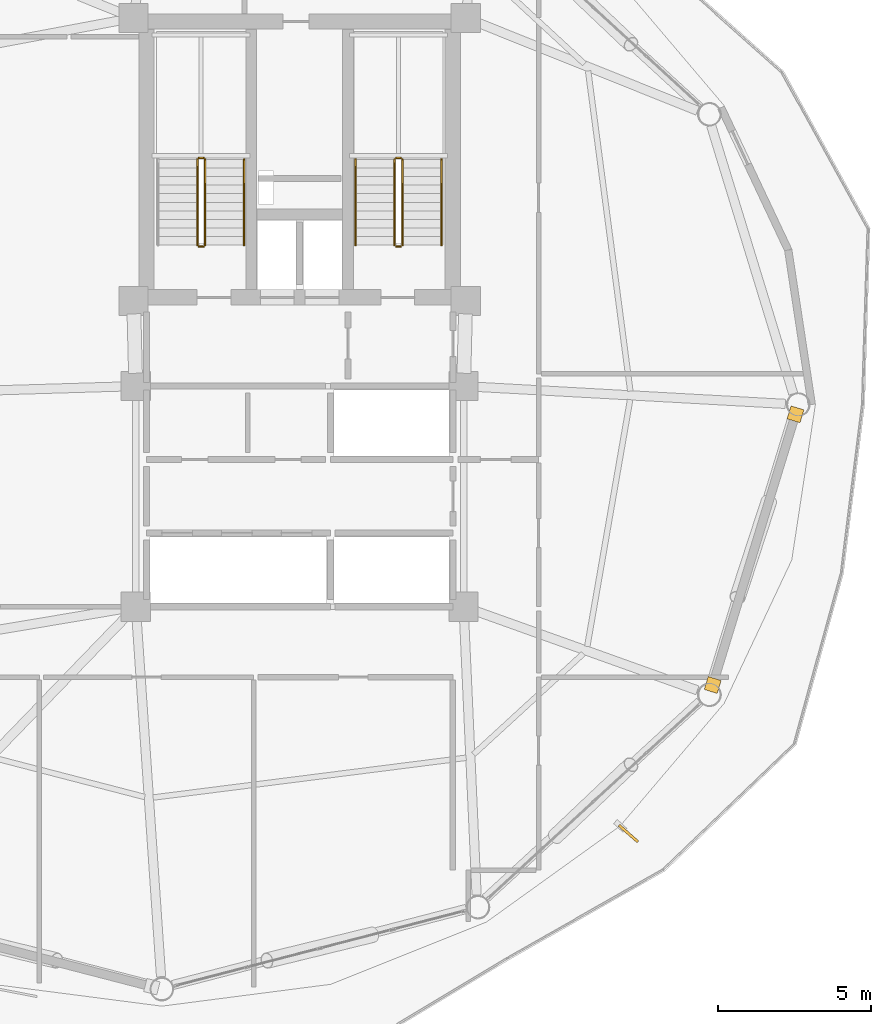
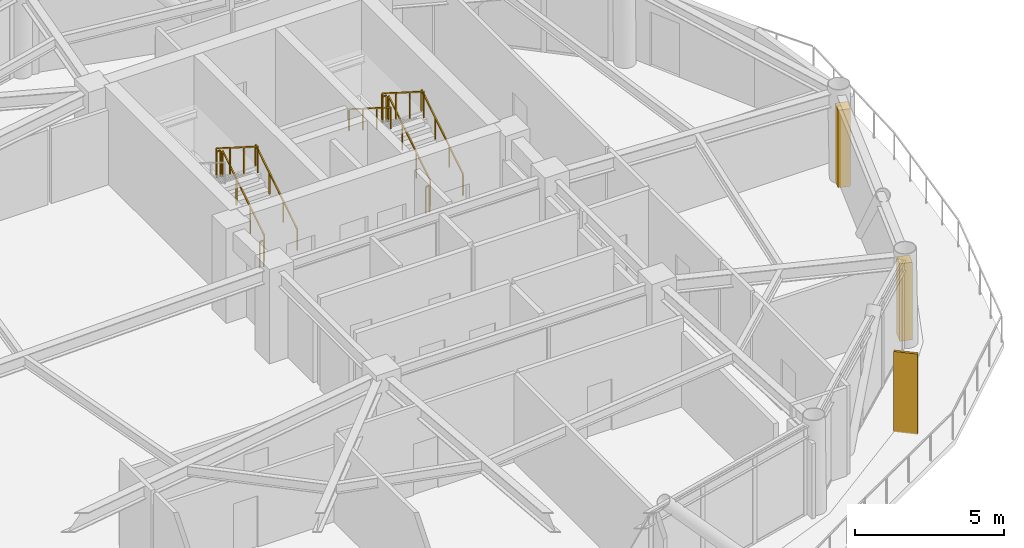
# One storey, part 22 of 23: 11 railings, 2 coverings, 1 shading device.
"""IFC4 building model written with IfcOpenShell, lengths in metres."""

from ifc_helpers import new_model, si_unit, direction, frame, origin, origin_2d, place, context, subcontext, project, spatial, rectangle, extrude, source, transform, mapped, material, layer, layer_set, type_object, type_shapes, element, save


model = new_model("IFC4")

# Units and contexts
model_context = context("Model", 3, precision=1e-05, world=origin(), true_north=direction((0.0, 1.0)))
body_context = subcontext(model_context, "Body", "Model", "MODEL_VIEW")
ifc_project = project(units=[si_unit("LENGTHUNIT", "METRE"), si_unit("AREAUNIT", "SQUARE_METRE"), si_unit("VOLUMEUNIT", "CUBIC_METRE"), si_unit("PLANEANGLEUNIT", "RADIAN"), si_unit("MASSUNIT", "GRAM", prefix="KILO")], contexts=[model_context])

# Site, building, storey
site_placement = place(None, origin())
site = spatial("IfcSite", under=ifc_project, at=site_placement, CompositionType="ELEMENT")
building_placement = place(site_placement, origin())
building = spatial("IfcBuilding", under=site, at=building_placement, Name="Varnakorn Sky Granary", CompositionType="ELEMENT")
storey_placement = place(building_placement, frame((0.0, 0.0, 150.0)))
storey = spatial("IfcBuildingStorey", under=building, at=storey_placement, Name="L37", CompositionType="ELEMENT", Elevation=150.0)

# Railings
ifc_material_1 = material(Name="Brushed Stainless Steel 316", Category="steel")
railing_type_1 = type_object("IfcRailingType", Name="RL-STAIR-1100", PredefinedType="GUARDRAIL", material=ifc_material_1)
railing_1_placement = place(storey_placement, frame((-0.090087890625, 5.199951171875, 0.17724609375)))
element("IfcRailing", 1, at=railing_1_placement, inside=storey, type_object=railing_type_1, Name="L37 ST-1 stair guard 1", PredefinedType="GUARDRAIL", context=body_context, shape_type="SweptSolid", body=[
    extrude(rectangle(XDim=0.048095703125, YDim=0.048095703125, at=origin_2d()), frame((0.0, 0.0, 1.076171875), z_axis=(0.0, 0.844908973607, 0.534910110503), x_axis=(-1.0, 0.0, 0.0)), (0.0, 0.0, 1.0), 3.31396484375),
    extrude(rectangle(XDim=0.0419921875, YDim=0.0419921875, at=origin_2d()), origin(), (0.0, 0.0, 1.0), 1.048095703125),
    extrude(rectangle(XDim=0.0419921875, YDim=0.0419921875, at=origin_2d()), frame((0.0, 0.933349609375, 0.5908203125)), (0.0, 0.0, 1.0), 1.048095703125),
    extrude(rectangle(XDim=0.0419921875, YDim=0.0419921875, at=origin_2d()), frame((0.0, 1.86669921875, 1.181884765625)), (0.0, 0.0, 1.0), 1.048095703125),
    extrude(rectangle(XDim=0.0419921875, YDim=0.0419921875, at=origin_2d()), frame((0.0, 2.800048828125, 1.772705078125)), (0.0, 0.0, 1.0), 1.048095703125),
])
railing_2_placement = place(storey_placement, frame((-0.139892578125, 8.050048828125, 1.949951171875)))
element("IfcRailing", 2, at=railing_2_placement, inside=storey, type_object=railing_type_1, Name="L37 ST-1 stair guard 2", PredefinedType="GUARDRAIL", context=body_context, shape_type="SweptSolid", body=[
    extrude(rectangle(XDim=0.048095703125, YDim=0.048095703125, at=origin_2d()), frame((0.0, 0.0, 1.076171875), z_axis=(-1.0, 0.0, 0.0), x_axis=(0.0, -1.0, 0.0)), (0.0, 0.0, 1.0), 0.150146484375),
    extrude(rectangle(XDim=0.0419921875, YDim=0.0419921875, at=origin_2d()), origin(), (0.0, 0.0, 1.0), 1.048095703125),
    extrude(rectangle(XDim=0.0419921875, YDim=0.0419921875, at=origin_2d()), frame((-0.150146484375, 0.0, 0.0)), (0.0, 0.0, 1.0), 1.048095703125),
])
railing_3_placement = place(storey_placement, frame((-0.340087890625, 8.0, 2.127197265625)))
element("IfcRailing", 3, at=railing_3_placement, inside=storey, type_object=railing_type_1, Name="L37 ST-1 stair guard 3", PredefinedType="GUARDRAIL", context=body_context, shape_type="SweptSolid", body=[
    extrude(rectangle(XDim=0.048095703125, YDim=0.048095703125, at=origin_2d()), frame((0.0, 0.0, 1.076171875), z_axis=(0.0, -0.844908973607, 0.534910110503), x_axis=(1.0, 0.0, 0.0)), (0.0, 0.0, 1.0), 3.31396484375),
    extrude(rectangle(XDim=0.0419921875, YDim=0.0419921875, at=origin_2d()), origin(), (0.0, 0.0, 1.0), 1.048095703125),
    extrude(rectangle(XDim=0.0419921875, YDim=0.0419921875, at=origin_2d()), frame((0.0, -0.933349609375, 0.5908203125)), (0.0, 0.0, 1.0), 1.048095703125),
    extrude(rectangle(XDim=0.0419921875, YDim=0.0419921875, at=origin_2d()), frame((0.0, -1.86669921875, 1.181884765625)), (0.0, 0.0, 1.0), 1.048095703125),
    extrude(rectangle(XDim=0.0419921875, YDim=0.0419921875, at=origin_2d()), frame((0.0, -2.800048828125, 1.772705078125)), (0.0, 0.0, 1.0), 1.048095703125),
])
railing_4_placement = place(storey_placement, frame((-0.139892578125, 5.14990234375, 0.0)))
element("IfcRailing", 4, at=railing_4_placement, inside=storey, type_object=railing_type_1, Name="L37 ST-1 stair guard 4", PredefinedType="GUARDRAIL", context=body_context, shape_type="SweptSolid", body=[
    extrude(rectangle(XDim=0.048095703125, YDim=0.048095703125, at=origin_2d()), frame((0.0, 0.0, 1.076171875), z_axis=(-1.0, 0.0, 0.0), x_axis=(0.0, -1.0, 0.0)), (0.0, 0.0, 1.0), 0.150146484375),
    extrude(rectangle(XDim=0.0419921875, YDim=0.0419921875, at=origin_2d()), origin(), (0.0, 0.0, 1.0), 1.048095703125),
    extrude(rectangle(XDim=0.0419921875, YDim=0.0419921875, at=origin_2d()), frame((-0.150146484375, 0.0, 0.0)), (0.0, 0.0, 1.0), 1.048095703125),
])
railing_5_placement = place(storey_placement, frame((6.35009765625, 5.199951171875, 0.17724609375)))
element("IfcRailing", 5, at=railing_5_placement, inside=storey, type_object=railing_type_1, Name="L37 ST-2 stair guard 1", PredefinedType="GUARDRAIL", context=body_context, shape_type="SweptSolid", body=[
    extrude(rectangle(XDim=0.048095703125, YDim=0.048095703125, at=origin_2d()), frame((0.0, 0.0, 1.076171875), z_axis=(0.0, 0.844908973607, 0.534910110503), x_axis=(-1.0, 0.0, 0.0)), (0.0, 0.0, 1.0), 3.31396484375),
    extrude(rectangle(XDim=0.0419921875, YDim=0.0419921875, at=origin_2d()), origin(), (0.0, 0.0, 1.0), 1.048095703125),
    extrude(rectangle(XDim=0.0419921875, YDim=0.0419921875, at=origin_2d()), frame((0.0, 0.933349609375, 0.5908203125)), (0.0, 0.0, 1.0), 1.048095703125),
    extrude(rectangle(XDim=0.0419921875, YDim=0.0419921875, at=origin_2d()), frame((0.0, 1.86669921875, 1.181884765625)), (0.0, 0.0, 1.0), 1.048095703125),
    extrude(rectangle(XDim=0.0419921875, YDim=0.0419921875, at=origin_2d()), frame((0.0, 2.800048828125, 1.772705078125)), (0.0, 0.0, 1.0), 1.048095703125),
])
railing_6_placement = place(storey_placement, frame((6.300048828125, 8.050048828125, 1.949951171875)))
element("IfcRailing", 6, at=railing_6_placement, inside=storey, type_object=railing_type_1, Name="L37 ST-2 stair guard 2", PredefinedType="GUARDRAIL", context=body_context, shape_type="SweptSolid", body=[
    extrude(rectangle(XDim=0.048095703125, YDim=0.048095703125, at=origin_2d()), frame((0.0, 0.0, 1.076171875), z_axis=(-1.0, 0.0, 0.0), x_axis=(0.0, -1.0, 0.0)), (0.0, 0.0, 1.0), 0.150146484375),
    extrude(rectangle(XDim=0.0419921875, YDim=0.0419921875, at=origin_2d()), origin(), (0.0, 0.0, 1.0), 1.048095703125),
    extrude(rectangle(XDim=0.0419921875, YDim=0.0419921875, at=origin_2d()), frame((-0.150146484375, 0.0, 0.0)), (0.0, 0.0, 1.0), 1.048095703125),
])
railing_7_placement = place(storey_placement, frame((6.10009765625, 8.0, 2.127197265625)))
element("IfcRailing", 7, at=railing_7_placement, inside=storey, type_object=railing_type_1, Name="L37 ST-2 stair guard 3", PredefinedType="GUARDRAIL", context=body_context, shape_type="SweptSolid", body=[
    extrude(rectangle(XDim=0.048095703125, YDim=0.048095703125, at=origin_2d()), frame((0.0, 0.0, 1.076171875), z_axis=(0.0, -0.844908973607, 0.534910110503), x_axis=(1.0, 0.0, 0.0)), (0.0, 0.0, 1.0), 3.31396484375),
    extrude(rectangle(XDim=0.0419921875, YDim=0.0419921875, at=origin_2d()), origin(), (0.0, 0.0, 1.0), 1.048095703125),
    extrude(rectangle(XDim=0.0419921875, YDim=0.0419921875, at=origin_2d()), frame((0.0, -0.933349609375, 0.5908203125)), (0.0, 0.0, 1.0), 1.048095703125),
    extrude(rectangle(XDim=0.0419921875, YDim=0.0419921875, at=origin_2d()), frame((0.0, -1.86669921875, 1.181884765625)), (0.0, 0.0, 1.0), 1.048095703125),
    extrude(rectangle(XDim=0.0419921875, YDim=0.0419921875, at=origin_2d()), frame((0.0, -2.800048828125, 1.772705078125)), (0.0, 0.0, 1.0), 1.048095703125),
])
railing_8_placement = place(storey_placement, frame((6.300048828125, 5.14990234375, 0.0)))
element("IfcRailing", 8, at=railing_8_placement, inside=storey, type_object=railing_type_1, Name="L37 ST-2 stair guard 4", PredefinedType="GUARDRAIL", context=body_context, shape_type="SweptSolid", body=[
    extrude(rectangle(XDim=0.048095703125, YDim=0.048095703125, at=origin_2d()), frame((0.0, 0.0, 1.076171875), z_axis=(-1.0, 0.0, 0.0), x_axis=(0.0, -1.0, 0.0)), (0.0, 0.0, 1.0), 0.150146484375),
    extrude(rectangle(XDim=0.0419921875, YDim=0.0419921875, at=origin_2d()), origin(), (0.0, 0.0, 1.0), 1.048095703125),
    extrude(rectangle(XDim=0.0419921875, YDim=0.0419921875, at=origin_2d()), frame((-0.150146484375, 0.0, 0.0)), (0.0, 0.0, 1.0), 1.048095703125),
])
railing_type_2 = type_object("IfcRailingType", Name="RL-STAIR-920", PredefinedType="HANDRAIL", material=ifc_material_1)
for number, where, name in (
    (9, (1.18994140625, 5.199951171875, 0.17724609375), "L37 ST-1 stair handrail 1"),
    (10, (7.6298828125, 5.199951171875, 0.17724609375), "L37 ST-2 stair handrail 1"),
):
    element("IfcRailing", number, at=place(storey_placement, frame(where)), inside=storey, type_object=railing_type_2, Name=name, PredefinedType="HANDRAIL", context=body_context, shape_type="SweptSolid", body=[
        extrude(rectangle(XDim=0.048095703125, YDim=0.048095703125, at=origin_2d()), frame((0.0, 0.0, 0.8759765625), z_axis=(0.0, 0.844908973607, 0.534910110503), x_axis=(-1.0, 0.0, 0.0)), (0.0, 0.0, 1.0), 3.31396484375),
        extrude(rectangle(XDim=0.0419921875, YDim=0.0419921875, at=origin_2d()), origin(), (0.0, 0.0, 1.0), 0.847900390625),
        extrude(rectangle(XDim=0.0419921875, YDim=0.0419921875, at=origin_2d()), frame((0.0, 0.933349609375, 0.5908203125)), (0.0, 0.0, 1.0), 0.847900390625),
        extrude(rectangle(XDim=0.0419921875, YDim=0.0419921875, at=origin_2d()), frame((0.0, 1.86669921875, 1.181884765625)), (0.0, 0.0, 1.0), 0.847900390625),
        extrude(rectangle(XDim=0.0419921875, YDim=0.0419921875, at=origin_2d()), frame((0.0, 2.800048828125, 1.772705078125)), (0.0, 0.0, 1.0), 0.847900390625),
    ])
railing_9_placement = place(storey_placement, frame((4.820068359375, 8.0, 2.127197265625)))
element("IfcRailing", 11, at=railing_9_placement, inside=storey, type_object=railing_type_2, Name="L37 ST-2 stair handrail 2", PredefinedType="HANDRAIL", context=body_context, shape_type="SweptSolid", body=[
    extrude(rectangle(XDim=0.048095703125, YDim=0.048095703125, at=origin_2d()), frame((0.0, 0.0, 0.8759765625), z_axis=(0.0, -0.844908973607, 0.534910110503), x_axis=(1.0, 0.0, 0.0)), (0.0, 0.0, 1.0), 3.31396484375),
    extrude(rectangle(XDim=0.0419921875, YDim=0.0419921875, at=origin_2d()), origin(), (0.0, 0.0, 1.0), 0.847900390625),
    extrude(rectangle(XDim=0.0419921875, YDim=0.0419921875, at=origin_2d()), frame((0.0, -0.933349609375, 0.5908203125)), (0.0, 0.0, 1.0), 0.847900390625),
    extrude(rectangle(XDim=0.0419921875, YDim=0.0419921875, at=origin_2d()), frame((0.0, -1.86669921875, 1.181884765625)), (0.0, 0.0, 1.0), 0.847900390625),
    extrude(rectangle(XDim=0.0419921875, YDim=0.0419921875, at=origin_2d()), frame((0.0, -2.800048828125, 1.772705078125)), (0.0, 0.0, 1.0), 0.847900390625),
])

# Shading device
ifc_material_2 = material(Name="Anodised Bronze Aluminium Alloy 6063-T6", Category="aluminium")
shading_device_type = type_object("IfcShadingDeviceType", Name="SH-FIN-02", PredefinedType="USERDEFINED", material=ifc_material_2)
shared_shape_1 = source(origin(), body_context, "Body", "SweptSolid", [
    extrude(rectangle(XDim=0.0849609375, YDim=0.820068359375, at=origin_2d()), origin(), (0.0, 0.0, 1.0), 3.300048828125),
])
type_shapes(shading_device_type, [shared_shape_1])
shading_device_placement = place(storey_placement, frame((13.7333984375, -14.005615234375, -0.0400390625), z_axis=(0.0, 0.0, 1.0), x_axis=(0.659404486571, 0.75178834993, 0.0)))
element("IfcShadingDevice", 12, at=shading_device_placement, inside=storey, type_object=shading_device_type, Name="Bronze Solar-Tracking Vertical Blade FIN L37-11", ObjectType="FIN", PredefinedType="USERDEFINED", context=body_context, shape_type="MappedRepresentation", body=[
    mapped(shared_shape_1, transform((0.0, 0.0, 0.0), x_axis=(1.0, 0.0, 0.0), y_axis=(0.0, 1.0, 0.0), z_axis=(0.0, 0.0, 1.0), scale=1.0)),
])

# Coverings
ifc_layer = layer(ifc_material_2, 0.050048828125, Name="Anodised Bronze Aluminium Alloy 6063-T6")
ifc_layer_set = layer_set([ifc_layer], Name="Anodised Bronze Aluminium Alloy 6063-T6")
covering_type = type_object("IfcCoveringType", Name="CV-CLAD-50", PredefinedType="CLADDING", material=ifc_layer_set)
shared_shape_2 = source(origin(), body_context, "Body", "SweptSolid", [
    extrude(rectangle(XDim=0.43994140625, YDim=0.43994140625, at=origin_2d()), origin(), (0.0, 0.0, 1.0), 3.179931640625),
])
type_shapes(covering_type, [shared_shape_2])
for number, where, z_axis, x_axis, name in (
    (13, (19.1845703125, -0.3212890625, -0.02001953125), (0.0, 0.0, 1.0), (-0.292705500237, -0.956202640726, 0.0), "Bronze Corner Pilaster Closure L37-P12-A"),
    (14, (16.47998046875, -9.1552734375, -0.02001953125), (0.0, 0.0, 1.0), (-0.292705500237, -0.956202640726, 0.0), "Bronze Corner Pilaster Closure L37-P12-B"),
):
    element("IfcCovering", number, at=place(storey_placement, frame(where, z_axis=z_axis, x_axis=x_axis)), inside=storey, type_object=covering_type, Name=name, PredefinedType="CLADDING", context=body_context, shape_type="MappedRepresentation", body=[
        mapped(shared_shape_2, transform((0.0, 0.0, 0.0), x_axis=(1.0, 0.0, 0.0), y_axis=(0.0, 1.0, 0.0), z_axis=(0.0, 0.0, 1.0), scale=1.0)),
    ])

save(model, "model.ifc")
